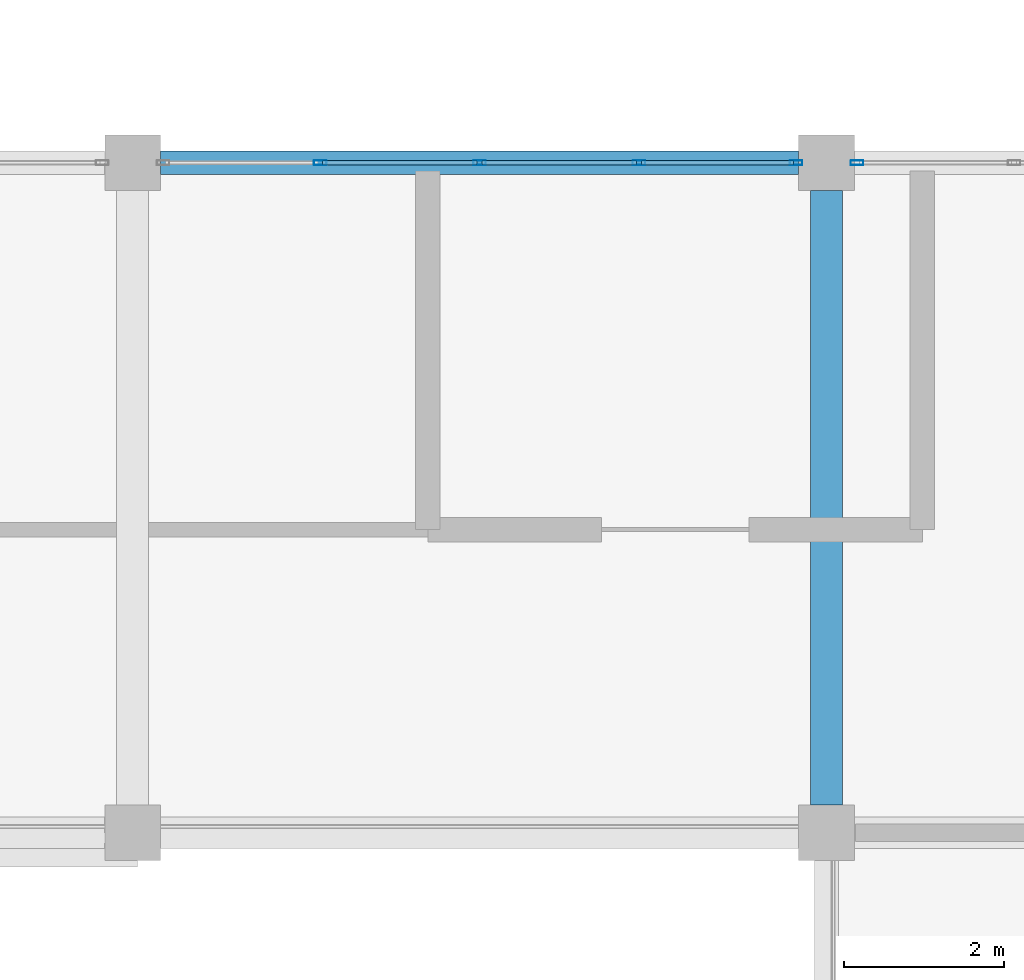
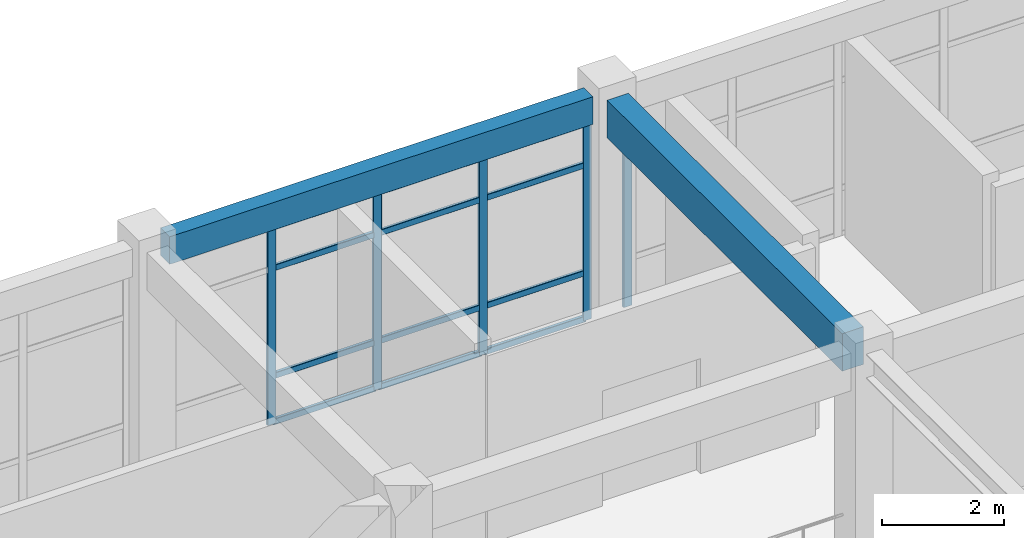
# One storey, part 37 of 76: 17 members, 2 beams, 2 elements without a shape of their own.
"""IFC4 building model written with IfcOpenShell, lengths in metres."""

from ifc_helpers import new_model, si_unit, derived_unit, direction, frame, origin, origin_2d, place, context, subcontext, project, spatial, rectangle, hollow_rectangle, extrude, material, layer, layer_set, material_profile, profile_set, type_object, element, aggregate, save


model = new_model("IFC4")

# Units and contexts
model_context = context("Model", 3, precision=1e-05, world=origin(), true_north=direction((0.0, 1.0)))
body_context = subcontext(model_context, "Body", "Model", "MODEL_VIEW")
ifc_project = project(units=[si_unit("LENGTHUNIT", "METRE"), si_unit("AREAUNIT", "SQUARE_METRE"), si_unit("VOLUMEUNIT", "CUBIC_METRE"), si_unit("PLANEANGLEUNIT", "RADIAN"), si_unit("MASSUNIT", "GRAM", prefix="KILO"), derived_unit("THERMALTRANSMITTANCEUNIT", [(si_unit("MASSUNIT", "GRAM", prefix="KILO"), 1), (si_unit("TIMEUNIT", "SECOND"), -3), (si_unit("THERMODYNAMICTEMPERATUREUNIT", "KELVIN"), -1)])], contexts=[model_context])

# Site, building, storey
site_placement = place(None, origin())
site = spatial("IfcSite", under=ifc_project, at=site_placement, CompositionType="ELEMENT")
building_placement = place(site_placement, origin())
building = spatial("IfcBuilding", under=site, at=building_placement, Name="Qinzheling Arcade Emporium", CompositionType="ELEMENT")
storey_placement = place(building_placement, frame((0.0, 0.0, 26.699951171875)))
storey = spatial("IfcBuildingStorey", under=building, at=storey_placement, Name="L06", CompositionType="ELEMENT", Elevation=26.699951171875)

# Curtain wall, members
ifc_material_1 = material(Name="Anodised aluminium and solar-control double glazing", Category="aluminium")
ifc_layer = layer(ifc_material_1, 0.159912109375, Name="Anodised aluminium and solar-control double glazing", Category="aluminium")
ifc_layer_set = layer_set([ifc_layer], Name="Anodised aluminium and solar-control double glazing")
curtain_wall_type = type_object("IfcCurtainWallType", Name="Atrium Clerestory Curtain Wall", PredefinedType="NOTDEFINED", material=ifc_layer_set)
curtain_wall_1_placement = place(storey_placement, origin())
curtain_wall_1 = element("IfcCurtainWall", 1, at=curtain_wall_1_placement, inside=storey, type_object=curtain_wall_type, Name="Curtain Wall CW-L06-370", PredefinedType="NOTDEFINED")
ifc_material_2 = material(Name="Anodised aluminium 6063-T6", Category="aluminium")
ifc_material_profile_1 = material_profile(ifc_material_2, hollow_rectangle(XDim=0.06005859375, YDim=0.159912109375, WallThickness=0.00390625, InnerFilletRadius=0.00390625, OuterFilletRadius=0.008056640625, at=origin_2d()), Name="RHS 160x60x4", Category="aluminium")
ifc_profile_set_1 = profile_set([ifc_material_profile_1], Name="Anodised aluminium 6063-T6")
member_type_1 = type_object("IfcMemberType", Name="Curtain Wall Mullion RHS160x60", PredefinedType="MULLION", material=ifc_profile_set_1)
member_1_placement = place(storey_placement, frame((80.65087890625, 73.800048828125, 0.0), z_axis=(0.0, 0.0, 1.0), x_axis=(0.0, 1.0, 0.0)))
member_1 = element("IfcMember", 2, at=member_1_placement, type_object=member_type_1, Name="CW03 mullion 2", PredefinedType="MULLION", context=body_context, shape_type="SweptSolid", body=[
    extrude(hollow_rectangle(XDim=0.06005859375, YDim=0.159912109375, WallThickness=0.00390625, InnerFilletRadius=0.00390625, OuterFilletRadius=0.008056640625, at=origin_2d()), origin(), (0.0, 0.0, 1.0), 3.955078125),
])
member_2_placement = place(storey_placement, frame((82.64990234375, 73.800048828125, 0.0), z_axis=(0.0, 0.0, 1.0), x_axis=(0.0, 1.0, 0.0)))
member_2 = element("IfcMember", 3, at=member_2_placement, type_object=member_type_1, Name="CW03 mullion 3", PredefinedType="MULLION", context=body_context, shape_type="SweptSolid", body=[
    extrude(hollow_rectangle(XDim=0.06005859375, YDim=0.159912109375, WallThickness=0.00390625, InnerFilletRadius=0.00390625, OuterFilletRadius=0.008056640625, at=origin_2d()), origin(), (0.0, 0.0, 1.0), 3.955078125),
])
member_3_placement = place(storey_placement, frame((84.64892578125, 73.800048828125, 0.0), z_axis=(0.0, 0.0, 1.0), x_axis=(0.0, 1.0, 0.0)))
member_3 = element("IfcMember", 4, at=member_3_placement, type_object=member_type_1, Name="CW03 mullion 4", PredefinedType="MULLION", context=body_context, shape_type="SweptSolid", body=[
    extrude(hollow_rectangle(XDim=0.06005859375, YDim=0.159912109375, WallThickness=0.00390625, InnerFilletRadius=0.00390625, OuterFilletRadius=0.008056640625, at=origin_2d()), origin(), (0.0, 0.0, 1.0), 3.955078125),
])
member_4_placement = place(storey_placement, frame((86.617919921875, 73.800048828125, 0.0), z_axis=(0.0, 0.0, 1.0), x_axis=(0.0, 1.0, 0.0)))
member_4 = element("IfcMember", 5, at=member_4_placement, type_object=member_type_1, Name="CW03 mullion 5", PredefinedType="MULLION", context=body_context, shape_type="SweptSolid", body=[
    extrude(hollow_rectangle(XDim=0.06005859375, YDim=0.159912109375, WallThickness=0.00390625, InnerFilletRadius=0.00390625, OuterFilletRadius=0.008056640625, at=origin_2d()), origin(), (0.0, 0.0, 1.0), 3.955078125),
])

# Curtain wall, member
curtain_wall_2_placement = place(storey_placement, origin())
curtain_wall_2 = element("IfcCurtainWall", 6, at=curtain_wall_2_placement, inside=storey, type_object=curtain_wall_type, Name="Curtain Wall CW-L06-371", PredefinedType="NOTDEFINED")
member_5_placement = place(storey_placement, frame((87.382080078125, 73.800048828125, 0.0), z_axis=(0.0, 0.0, 1.0), x_axis=(0.0, 1.0, 0.0)))
member_5 = element("IfcMember", 7, at=member_5_placement, type_object=member_type_1, Name="CW03 mullion 1", PredefinedType="MULLION", context=body_context, shape_type="SweptSolid", body=[
    extrude(hollow_rectangle(XDim=0.06005859375, YDim=0.159912109375, WallThickness=0.00390625, InnerFilletRadius=0.00390625, OuterFilletRadius=0.008056640625, at=origin_2d()), origin(), (0.0, 0.0, 1.0), 3.955078125),
])
aggregate(curtain_wall_2, [member_5])

# Member
ifc_material_profile_2 = material_profile(ifc_material_2, hollow_rectangle(XDim=0.06005859375, YDim=0.1201171875, WallThickness=0.00390625, InnerFilletRadius=0.00390625, OuterFilletRadius=0.008056640625, at=origin_2d()), Name="RHS 120x60x4", Category="aluminium")
ifc_profile_set_2 = profile_set([ifc_material_profile_2], Name="Anodised aluminium 6063-T6")
member_type_2 = type_object("IfcMemberType", Name="Curtain Wall Transom RHS120x60", PredefinedType="USERDEFINED", material=ifc_profile_set_2)
member_6_placement = place(storey_placement, frame((80.680908203125, 73.800048828125, 0.030029296875), z_axis=(1.0, 0.0, 0.0), x_axis=(0.0, 1.0, 0.0)))
member_6 = element("IfcMember", 8, at=member_6_placement, type_object=member_type_2, Name="CW03 transom 2.1", ObjectType="TRANSOM", PredefinedType="USERDEFINED", context=body_context, shape_type="SweptSolid", body=[
    extrude(hollow_rectangle(XDim=0.06005859375, YDim=0.1201171875, WallThickness=0.00390625, InnerFilletRadius=0.00390625, OuterFilletRadius=0.008056640625, at=origin_2d()), origin(), (0.0, 0.0, 1.0), 1.939208984375),
])

member_7_placement = place(storey_placement, frame((80.680908203125, 73.800048828125, 0.949951171875), z_axis=(1.0, 0.0, 0.0), x_axis=(0.0, 1.0, 0.0)))
member_7 = element("IfcMember", 9, at=member_7_placement, type_object=member_type_2, Name="CW03 transom 2.2", ObjectType="TRANSOM", PredefinedType="USERDEFINED", context=body_context, shape_type="SweptSolid", body=[
    extrude(hollow_rectangle(XDim=0.06005859375, YDim=0.1201171875, WallThickness=0.00390625, InnerFilletRadius=0.00390625, OuterFilletRadius=0.008056640625, at=origin_2d()), origin(), (0.0, 0.0, 1.0), 1.939208984375),
])

member_8_placement = place(storey_placement, frame((80.680908203125, 73.800048828125, 3.10498046875), z_axis=(1.0, 0.0, 0.0), x_axis=(0.0, 1.0, 0.0)))
member_8 = element("IfcMember", 10, at=member_8_placement, type_object=member_type_2, Name="CW03 transom 2.3", ObjectType="TRANSOM", PredefinedType="USERDEFINED", context=body_context, shape_type="SweptSolid", body=[
    extrude(hollow_rectangle(XDim=0.06005859375, YDim=0.1201171875, WallThickness=0.00390625, InnerFilletRadius=0.00390625, OuterFilletRadius=0.008056640625, at=origin_2d()), origin(), (0.0, 0.0, 1.0), 1.939208984375),
])

member_9_placement = place(storey_placement, frame((80.680908203125, 73.800048828125, 3.925048828125), z_axis=(1.0, 0.0, 0.0), x_axis=(0.0, 1.0, 0.0)))
member_9 = element("IfcMember", 11, at=member_9_placement, type_object=member_type_2, Name="CW03 transom 2.4", ObjectType="TRANSOM", PredefinedType="USERDEFINED", context=body_context, shape_type="SweptSolid", body=[
    extrude(hollow_rectangle(XDim=0.06005859375, YDim=0.1201171875, WallThickness=0.00390625, InnerFilletRadius=0.00390625, OuterFilletRadius=0.008056640625, at=origin_2d()), origin(), (0.0, 0.0, 1.0), 1.939208984375),
])

member_10_placement = place(storey_placement, frame((82.679931640625, 73.800048828125, 0.030029296875), z_axis=(1.0, 0.0, 0.0), x_axis=(0.0, 1.0, 0.0)))
member_10 = element("IfcMember", 12, at=member_10_placement, type_object=member_type_2, Name="CW03 transom 3.1", ObjectType="TRANSOM", PredefinedType="USERDEFINED", context=body_context, shape_type="SweptSolid", body=[
    extrude(hollow_rectangle(XDim=0.06005859375, YDim=0.1201171875, WallThickness=0.00390625, InnerFilletRadius=0.00390625, OuterFilletRadius=0.008056640625, at=origin_2d()), origin(), (0.0, 0.0, 1.0), 1.93896484375),
])

member_11_placement = place(storey_placement, frame((82.679931640625, 73.800048828125, 0.949951171875), z_axis=(1.0, 0.0, 0.0), x_axis=(0.0, 1.0, 0.0)))
member_11 = element("IfcMember", 13, at=member_11_placement, type_object=member_type_2, Name="CW03 transom 3.2", ObjectType="TRANSOM", PredefinedType="USERDEFINED", context=body_context, shape_type="SweptSolid", body=[
    extrude(hollow_rectangle(XDim=0.06005859375, YDim=0.1201171875, WallThickness=0.00390625, InnerFilletRadius=0.00390625, OuterFilletRadius=0.008056640625, at=origin_2d()), origin(), (0.0, 0.0, 1.0), 1.93896484375),
])

member_12_placement = place(storey_placement, frame((82.679931640625, 73.800048828125, 3.10498046875), z_axis=(1.0, 0.0, 0.0), x_axis=(0.0, 1.0, 0.0)))
member_12 = element("IfcMember", 14, at=member_12_placement, type_object=member_type_2, Name="CW03 transom 3.3", ObjectType="TRANSOM", PredefinedType="USERDEFINED", context=body_context, shape_type="SweptSolid", body=[
    extrude(hollow_rectangle(XDim=0.06005859375, YDim=0.1201171875, WallThickness=0.00390625, InnerFilletRadius=0.00390625, OuterFilletRadius=0.008056640625, at=origin_2d()), origin(), (0.0, 0.0, 1.0), 1.93896484375),
])

member_13_placement = place(storey_placement, frame((82.679931640625, 73.800048828125, 3.925048828125), z_axis=(1.0, 0.0, 0.0), x_axis=(0.0, 1.0, 0.0)))
member_13 = element("IfcMember", 15, at=member_13_placement, type_object=member_type_2, Name="CW03 transom 3.4", ObjectType="TRANSOM", PredefinedType="USERDEFINED", context=body_context, shape_type="SweptSolid", body=[
    extrude(hollow_rectangle(XDim=0.06005859375, YDim=0.1201171875, WallThickness=0.00390625, InnerFilletRadius=0.00390625, OuterFilletRadius=0.008056640625, at=origin_2d()), origin(), (0.0, 0.0, 1.0), 1.93896484375),
])

member_14_placement = place(storey_placement, frame((84.678955078125, 73.800048828125, 0.030029296875), z_axis=(1.0, 0.0, 0.0), x_axis=(0.0, 1.0, 0.0)))
member_14 = element("IfcMember", 16, at=member_14_placement, type_object=member_type_2, Name="CW03 transom 4.1", ObjectType="TRANSOM", PredefinedType="USERDEFINED", context=body_context, shape_type="SweptSolid", body=[
    extrude(hollow_rectangle(XDim=0.06005859375, YDim=0.1201171875, WallThickness=0.00390625, InnerFilletRadius=0.00390625, OuterFilletRadius=0.008056640625, at=origin_2d()), origin(), (0.0, 0.0, 1.0), 1.908935546875),
])

member_15_placement = place(storey_placement, frame((84.678955078125, 73.800048828125, 0.949951171875), z_axis=(1.0, 0.0, 0.0), x_axis=(0.0, 1.0, 0.0)))
member_15 = element("IfcMember", 17, at=member_15_placement, type_object=member_type_2, Name="CW03 transom 4.2", ObjectType="TRANSOM", PredefinedType="USERDEFINED", context=body_context, shape_type="SweptSolid", body=[
    extrude(hollow_rectangle(XDim=0.06005859375, YDim=0.1201171875, WallThickness=0.00390625, InnerFilletRadius=0.00390625, OuterFilletRadius=0.008056640625, at=origin_2d()), origin(), (0.0, 0.0, 1.0), 1.908935546875),
])

member_16_placement = place(storey_placement, frame((84.678955078125, 73.800048828125, 3.10498046875), z_axis=(1.0, 0.0, 0.0), x_axis=(0.0, 1.0, 0.0)))
member_16 = element("IfcMember", 18, at=member_16_placement, type_object=member_type_2, Name="CW03 transom 4.3", ObjectType="TRANSOM", PredefinedType="USERDEFINED", context=body_context, shape_type="SweptSolid", body=[
    extrude(hollow_rectangle(XDim=0.06005859375, YDim=0.1201171875, WallThickness=0.00390625, InnerFilletRadius=0.00390625, OuterFilletRadius=0.008056640625, at=origin_2d()), origin(), (0.0, 0.0, 1.0), 1.908935546875),
])

member_17_placement = place(storey_placement, frame((84.678955078125, 73.800048828125, 3.925048828125), z_axis=(1.0, 0.0, 0.0), x_axis=(0.0, 1.0, 0.0)))
member_17 = element("IfcMember", 19, at=member_17_placement, type_object=member_type_2, Name="CW03 transom 4.4", ObjectType="TRANSOM", PredefinedType="USERDEFINED", context=body_context, shape_type="SweptSolid", body=[
    extrude(hollow_rectangle(XDim=0.06005859375, YDim=0.1201171875, WallThickness=0.00390625, InnerFilletRadius=0.00390625, OuterFilletRadius=0.008056640625, at=origin_2d()), origin(), (0.0, 0.0, 1.0), 1.908935546875),
])

aggregate(curtain_wall_1, [member_1, member_2, member_3, member_4, member_6, member_7, member_8, member_9, member_10, member_11, member_12, member_13, member_14, member_15, member_16, member_17])

# Beams
ifc_material_3 = material(Name="Concrete C40", Category="concrete")
ifc_material_profile_3 = material_profile(ifc_material_3, rectangle(XDim=0.39990234375, YDim=0.75, at=origin_2d()), Name="RC 400x750", Category="concrete")
ifc_profile_set_3 = profile_set([ifc_material_profile_3], Name="Concrete C40")
beam_type_1 = type_object("IfcBeamType", Name="RC Interior Tie Beam 400x750 C40", PredefinedType="BEAM", material=ifc_profile_set_3)
beam_1_placement = place(storey_placement, frame((87.0, 65.75, 4.14501953125), z_axis=(0.0, 1.0, 0.0), x_axis=(-1.0, 0.0, 0.0)))
element("IfcBeam", 20, at=beam_1_placement, inside=storey, type_object=beam_type_1, Name="Beam BM-L06-Y-11-H", PredefinedType="BEAM", context=body_context, shape_type="SweptSolid", body=[
    extrude(rectangle(XDim=0.39990234375, YDim=0.75, at=origin_2d()), origin(), (0.0, 0.0, 1.0), 7.699951171875),
])
ifc_material_profile_4 = material_profile(ifc_material_3, rectangle(XDim=0.300048828125, YDim=0.550048828125, at=origin_2d()), Name="RC 300x550", Category="concrete")
ifc_profile_set_4 = profile_set([ifc_material_profile_4], Name="Concrete C40")
beam_type_2 = type_object("IfcBeamType", Name="RC Terrace Spandrel Beam 300x550 C40", PredefinedType="SPANDREL", material=ifc_profile_set_4)
beam_2_placement = place(storey_placement, frame((78.64990234375, 73.800048828125, 4.2451171875), z_axis=(1.0, 0.0, 0.0), x_axis=(0.0, 1.0, 0.0)))
element("IfcBeam", 21, at=beam_2_placement, inside=storey, type_object=beam_type_2, Name="Beam BM-L06-X-J-10", PredefinedType="SPANDREL", context=body_context, shape_type="SweptSolid", body=[
    extrude(rectangle(XDim=0.300048828125, YDim=0.550048828125, at=origin_2d()), origin(), (0.0, 0.0, 1.0), 8.0),
])

save(model, "model.ifc")
